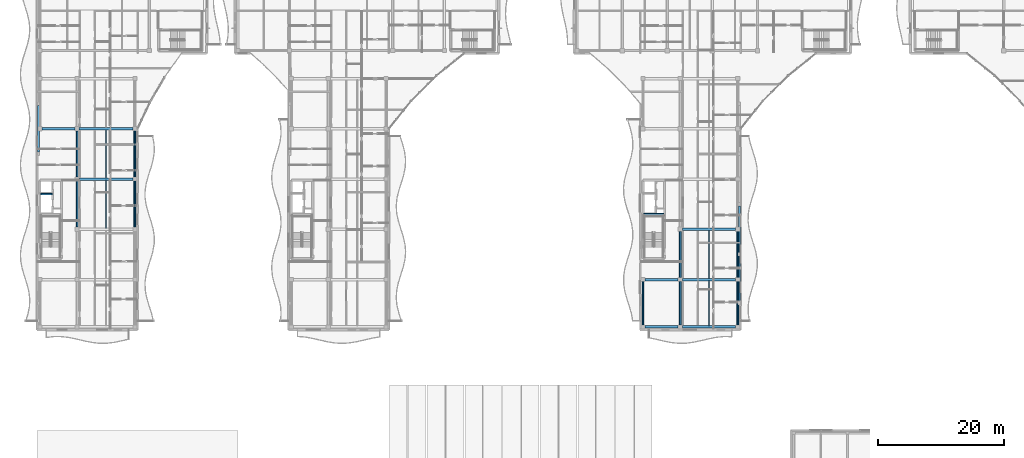
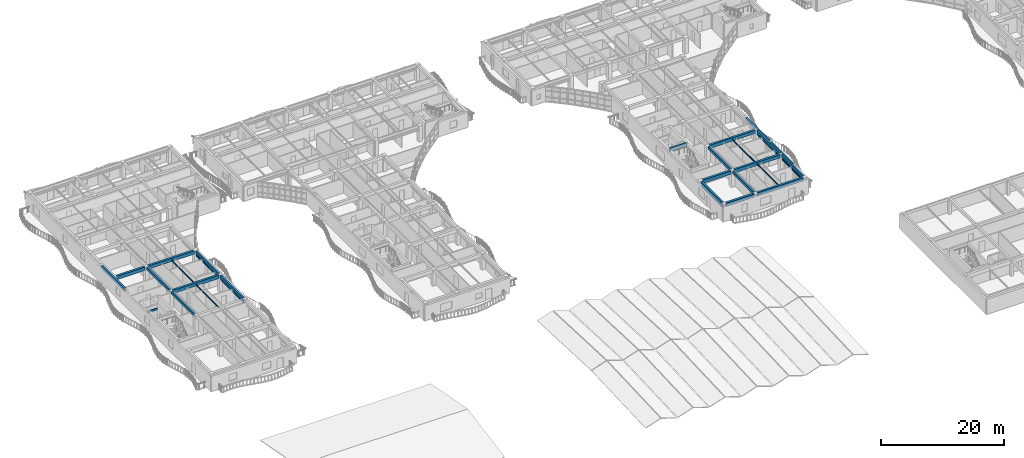
# One storey, part 6 of 89: 26 beams, 10 members.
"""IFC4 building model written with IfcOpenShell, lengths in metres."""

from ifc_helpers import new_model, si_unit, direction, frame, origin, origin_2d, place, context, subcontext, project, spatial, rectangle, hollow_rectangle, i_section, extrude, material, material_profile, profile_set, type_object, element, save


model = new_model("IFC4")

# Units and contexts
model_context = context("Model", 3, precision=1e-05, world=origin(), true_north=direction((0.0, 1.0)))
body_context = subcontext(model_context, "Body", "Model", "MODEL_VIEW")
ifc_project = project(units=[si_unit("LENGTHUNIT", "METRE"), si_unit("AREAUNIT", "SQUARE_METRE"), si_unit("VOLUMEUNIT", "CUBIC_METRE"), si_unit("PLANEANGLEUNIT", "RADIAN"), si_unit("MASSUNIT", "GRAM", prefix="KILO")], contexts=[model_context])

# Site, building, storey
site_placement = place(None, origin())
site = spatial("IfcSite", under=ifc_project, at=site_placement, CompositionType="ELEMENT")
building_placement = place(site_placement, origin())
building = spatial("IfcBuilding", under=site, at=building_placement, Name="Keldmere Railside Commons", CompositionType="ELEMENT")
storey_placement = place(building_placement, frame((0.0, 0.0, 7.360107421875)))
storey = spatial("IfcBuildingStorey", under=building, at=storey_placement, Name="L02", CompositionType="ELEMENT", Elevation=7.360107421875)

# Members
ifc_material_1 = material(Name="Steel F-36 (S355)", Category="steel")
ifc_material_profile_1 = material_profile(ifc_material_1, hollow_rectangle(XDim=0.14990234375, YDim=0.25, WallThickness=0.010009765625, at=origin_2d()), Name="RHS-250x150x10")
ifc_profile_set_1 = profile_set([ifc_material_profile_1], Name="Steel F-36 (S355)")
member_type_1 = type_object("IfcMemberType", Name="Balcony Continuous Planted Trough RHS250x150", PredefinedType="CHORD", material=ifc_profile_set_1)
for number, where, z_axis, x_axis, name in (
    (1, (23.550048828125, 72.324951171875, 2.414794921875), (0.0, 1.0, 0.0), (-1.0, 0.0, 0.0), "PLT-1 MEM-BPLT-0231"),
    (2, (23.550048828125, 80.324951171875, 2.414794921875), (0.0, 1.0, 0.0), (-1.0, 0.0, 0.0), "PLT-1 MEM-BPLT-0233"),
):
    element("IfcMember", number, at=place(storey_placement, frame(where, z_axis=z_axis, x_axis=x_axis)), inside=storey, type_object=member_type_1, Name=name, PredefinedType="CHORD", context=body_context, shape_type="SweptSolid", body=[
        extrude(hollow_rectangle(XDim=0.14990234375, YDim=0.25, WallThickness=0.010009765625, at=origin_2d()), origin(), (0.0, 0.0, 1.0), 7.35009765625),
    ])
for number, where, z_axis, x_axis, name in (
    (3, (104.449951171875, 56.800048828125, 2.414794921875), (0.0, 1.0, 0.0), (-1.0, 0.0, 0.0), "PLT-1 MEM-BPLT-0285"),
    (4, (119.550048828125, 56.800048828125, 2.414794921875), (0.0, 1.0, 0.0), (-1.0, 0.0, 0.0), "PLT-1 MEM-BPLT-0289"),
):
    element("IfcMember", number, at=place(storey_placement, frame(where, z_axis=z_axis, x_axis=x_axis)), inside=storey, type_object=member_type_1, Name=name, PredefinedType="CHORD", context=body_context, shape_type="SweptSolid", body=[
        extrude(hollow_rectangle(XDim=0.14990234375, YDim=0.25, WallThickness=0.010009765625, at=origin_2d()), origin(), (0.0, 0.0, 1.0), 6.849853515625),
    ])
member_1_placement = place(storey_placement, frame((119.550048828125, 64.35009765625, 2.414794921875), z_axis=(0.0, 1.0, 0.0), x_axis=(-1.0, 0.0, 0.0)))
element("IfcMember", 5, at=member_1_placement, inside=storey, type_object=member_type_1, Name="PLT-1 MEM-BPLT-0291", PredefinedType="CHORD", context=body_context, shape_type="SweptSolid", body=[
    extrude(hollow_rectangle(XDim=0.14990234375, YDim=0.25, WallThickness=0.010009765625, at=origin_2d()), origin(), (0.0, 0.0, 1.0), 7.2998046875),
])

# Beams
ifc_material_2 = material(Name="Concrete H-35 (C35/45)", Category="concrete")
ifc_material_profile_2 = material_profile(ifc_material_2, rectangle(XDim=0.300048828125, YDim=0.64990234375, at=origin_2d()), Name="RC-300x650")
ifc_profile_set_2 = profile_set([ifc_material_profile_2], Name="Concrete H-35 (C35/45)")
beam_type_1 = type_object("IfcBeamType", Name="Core Coupling RC Beam 300x650", PredefinedType="BEAM", material=ifc_profile_set_2)
beam_1_placement = place(storey_placement, frame((104.590087890625, 74.39990234375, 2.875), z_axis=(1.0, 0.0, 0.0), x_axis=(0.0, 1.0, 0.0)))
element("IfcBeam", 6, at=beam_1_placement, inside=storey, type_object=beam_type_1, Name="CB-1 BM-L02-2559", PredefinedType="BEAM", context=body_context, shape_type="SweptSolid", body=[
    extrude(rectangle(XDim=0.300048828125, YDim=0.64990234375, at=origin_2d()), origin(), (0.0, 0.0, 1.0), 3.18994140625),
])
ifc_material_3 = material(Name="Concrete H-30 (C30/37)", Category="concrete")
ifc_material_profile_3 = material_profile(ifc_material_3, rectangle(XDim=0.25, YDim=0.35009765625, at=origin_2d()), Name="RC-250x350")
ifc_profile_set_3 = profile_set([ifc_material_profile_3], Name="Concrete H-30 (C30/37)")
beam_type_2 = type_object("IfcBeamType", Name="Masonry Opening RC Lintel 250x350", PredefinedType="LINTEL", material=ifc_profile_set_3)
beam_2_placement = place(storey_placement, frame((8.590087890625, 77.60009765625, 2.4248046875), z_axis=(1.0, 0.0, 0.0), x_axis=(0.0, 1.0, 0.0)))
element("IfcBeam", 7, at=beam_2_placement, inside=storey, type_object=beam_type_2, Name="LNT-1 BM-L02-2544", PredefinedType="LINTEL", context=body_context, shape_type="SweptSolid", body=[
    extrude(rectangle(XDim=0.25, YDim=0.35009765625, at=origin_2d()), origin(), (0.0, 0.0, 1.0), 1.809814453125),
])
ifc_material_profile_4 = material_profile(ifc_material_1, i_section(OverallWidth=0.1201171875, OverallDepth=0.239990234375, WebThickness=0.006103515625, FlangeThickness=0.009765625, at=origin_2d()), Name="IPE-240")
ifc_profile_set_4 = profile_set([ifc_material_profile_4], Name="Steel F-36 (S355)")
beam_type_3 = type_object("IfcBeamType", Name="Nursery & Mezzanine Steel Joist IPE240", PredefinedType="JOIST", material=ifc_profile_set_4)
beam_3_placement = place(storey_placement, frame((114.949951171875, 56.64990234375, 2.809814453125), z_axis=(0.0, 1.0, 0.0), x_axis=(-1.0, 0.0, 0.0)))
element("IfcBeam", 8, at=beam_3_placement, inside=storey, type_object=beam_type_3, Name="JST-2 BM-L02-1282", PredefinedType="JOIST", context=body_context, shape_type="SweptSolid", body=[
    extrude(i_section(OverallWidth=0.1201171875, OverallDepth=0.239990234375, WebThickness=0.006103515625, FlangeThickness=0.009765625, at=origin_2d()), origin(), (0.0, 0.0, 1.0), 7.150146484375),
])
for number, where, z_axis, x_axis, name in (
    (9, (114.949951171875, 64.199951171875, 2.809814453125), (0.0, 1.0, 0.0), (-1.0, 0.0, 0.0), "JST-2 BM-L02-1286"),
    (10, (18.949951171875, 72.199951171875, 2.809814453125), (0.0, 1.0, 0.0), (-1.0, 0.0, 0.0), "JST-2 BM-L02-1287"),
    (11, (18.949951171875, 80.199951171875, 2.809814453125), (0.0, 1.0, 0.0), (-1.0, 0.0, 0.0), "JST-2 BM-L02-1290"),
):
    element("IfcBeam", number, at=place(storey_placement, frame(where, z_axis=z_axis, x_axis=x_axis)), inside=storey, type_object=beam_type_3, Name=name, PredefinedType="JOIST", context=body_context, shape_type="SweptSolid", body=[
        extrude(i_section(OverallWidth=0.1201171875, OverallDepth=0.239990234375, WebThickness=0.006103515625, FlangeThickness=0.009765625, at=origin_2d()), origin(), (0.0, 0.0, 1.0), 7.60009765625),
    ])
ifc_material_profile_5 = material_profile(ifc_material_3, rectangle(XDim=0.35009765625, YDim=0.60009765625, at=origin_2d()), Name="RC-350x600")
ifc_profile_set_5 = profile_set([ifc_material_profile_5], Name="Concrete H-30 (C30/37)")
beam_type_4 = type_object("IfcBeamType", Name="Residential Chord RC Beam 350x600", PredefinedType="BEAM", material=ifc_profile_set_5)
beam_4_placement = place(storey_placement, frame((8.219970703125, 84.27490234375, 2.89990234375), z_axis=(0.0, 1.0, 0.0), x_axis=(-1.0, 0.0, 0.0)))
element("IfcBeam", 12, at=beam_4_placement, inside=storey, type_object=beam_type_4, Name="BG-4 BM-L02-1156", PredefinedType="BEAM", context=body_context, shape_type="SweptSolid", body=[
    extrude(rectangle(XDim=0.35009765625, YDim=0.60009765625, at=origin_2d()), origin(), (0.0, 0.0, 1.0), 7.4501953125),
])
ifc_material_profile_6 = material_profile(ifc_material_3, rectangle(XDim=0.39990234375, YDim=0.64990234375, at=origin_2d()), Name="RC-400x650")
ifc_profile_set_6 = profile_set([ifc_material_profile_6], Name="Concrete H-30 (C30/37)")
beam_type_5 = type_object("IfcBeamType", Name="Residential Spine RC Girder 400x650", PredefinedType="BEAM", material=ifc_profile_set_6)
beam_5_placement = place(storey_placement, frame((104.800048828125, 56.449951171875, 2.875), z_axis=(1.0, 0.0, 0.0), x_axis=(0.0, 1.0, 0.0)))
element("IfcBeam", 13, at=beam_5_placement, inside=storey, type_object=beam_type_5, Name="BG-3 BM-L02-1072", PredefinedType="BEAM", context=body_context, shape_type="SweptSolid", body=[
    extrude(rectangle(XDim=0.39990234375, YDim=0.64990234375, at=origin_2d()), origin(), (0.0, 0.0, 1.0), 5.199951171875),
])
beam_6_placement = place(storey_placement, frame((110.699951171875, 56.449951171875, 2.875), z_axis=(1.0, 0.0, 0.0), x_axis=(0.0, 1.0, 0.0)))
element("IfcBeam", 14, at=beam_6_placement, inside=storey, type_object=beam_type_5, Name="BG-3 BM-L02-1073", PredefinedType="BEAM", context=body_context, shape_type="SweptSolid", body=[
    extrude(rectangle(XDim=0.39990234375, YDim=0.64990234375, at=origin_2d()), origin(), (0.0, 0.0, 1.0), 8.5),
])
beam_7_placement = place(storey_placement, frame((104.800048828125, 64.0, 2.875), z_axis=(1.0, 0.0, 0.0), x_axis=(0.0, 1.0, 0.0)))
element("IfcBeam", 15, at=beam_7_placement, inside=storey, type_object=beam_type_5, Name="BG-3 BM-L02-1080", PredefinedType="BEAM", context=body_context, shape_type="SweptSolid", body=[
    extrude(rectangle(XDim=0.39990234375, YDim=0.64990234375, at=origin_2d()), origin(), (0.0, 0.0, 1.0), 5.199951171875),
])
for number, where, z_axis, x_axis, name in (
    (16, (110.699951171875, 64.0, 2.875), (1.0, 0.0, 0.0), (0.0, 1.0, 0.0), "BG-3 BM-L02-1081"),
    (17, (110.699951171875, 72.0, 2.875), (1.0, 0.0, 0.0), (0.0, 1.0, 0.0), "BG-3 BM-L02-1086"),
):
    element("IfcBeam", number, at=place(storey_placement, frame(where, z_axis=z_axis, x_axis=x_axis)), inside=storey, type_object=beam_type_5, Name=name, PredefinedType="BEAM", context=body_context, shape_type="SweptSolid", body=[
        extrude(rectangle(XDim=0.39990234375, YDim=0.64990234375, at=origin_2d()), origin(), (0.0, 0.0, 1.0), 8.5),
    ])
beam_8_placement = place(storey_placement, frame((14.675048828125, 80.0, 2.875), z_axis=(1.0, 0.0, 0.0), x_axis=(0.0, 1.0, 0.0)))
element("IfcBeam", 18, at=beam_8_placement, inside=storey, type_object=beam_type_5, Name="BG-3 BM-L02-1088", PredefinedType="BEAM", context=body_context, shape_type="SweptSolid", body=[
    extrude(rectangle(XDim=0.39990234375, YDim=0.64990234375, at=origin_2d()), origin(), (0.0, 0.0, 1.0), 8.550048828125),
])
beam_9_placement = place(storey_placement, frame((8.77490234375, 88.0, 2.875), z_axis=(1.0, 0.0, 0.0), x_axis=(0.0, 1.0, 0.0)))
element("IfcBeam", 19, at=beam_9_placement, inside=storey, type_object=beam_type_5, Name="BG-3 BM-L02-1092", PredefinedType="BEAM", context=body_context, shape_type="SweptSolid", body=[
    extrude(rectangle(XDim=0.39990234375, YDim=0.64990234375, at=origin_2d()), origin(), (0.0, 0.0, 1.0), 5.25),
])
beam_10_placement = place(storey_placement, frame((14.675048828125, 88.0, 2.875), z_axis=(1.0, 0.0, 0.0), x_axis=(0.0, 1.0, 0.0)))
element("IfcBeam", 20, at=beam_10_placement, inside=storey, type_object=beam_type_5, Name="BG-3 BM-L02-1093", PredefinedType="BEAM", context=body_context, shape_type="SweptSolid", body=[
    extrude(rectangle(XDim=0.39990234375, YDim=0.64990234375, at=origin_2d()), origin(), (0.0, 0.0, 1.0), 8.550048828125),
])
ifc_material_profile_7 = material_profile(ifc_material_3, rectangle(XDim=0.300048828125, YDim=0.5, at=origin_2d()), Name="RC-300x500")
ifc_profile_set_7 = profile_set([ifc_material_profile_7], Name="Concrete H-30 (C30/37)")
beam_type_6 = type_object("IfcBeamType", Name="Secondary Frame RC Beam 300x500", PredefinedType="BEAM", material=ifc_profile_set_7)
for number, where, z_axis, x_axis, name in (
    (21, (14.35009765625, 72.324951171875, 2.949951171875), (0.0, 1.0, 0.0), (-1.0, 0.0, 0.0), "BG-5 BM-L02-1164"),
    (22, (14.35009765625, 80.324951171875, 2.949951171875), (0.0, 1.0, 0.0), (-1.0, 0.0, 0.0), "BG-5 BM-L02-1165"),
    (23, (23.550048828125, 72.324951171875, 2.949951171875), (0.0, 1.0, 0.0), (-1.0, 0.0, 0.0), "BG-5 BM-L02-1170"),
    (24, (23.550048828125, 80.324951171875, 2.949951171875), (0.0, 1.0, 0.0), (-1.0, 0.0, 0.0), "BG-5 BM-L02-1171"),
):
    element("IfcBeam", number, at=place(storey_placement, frame(where, z_axis=z_axis, x_axis=x_axis)), inside=storey, type_object=beam_type_6, Name=name, PredefinedType="BEAM", context=body_context, shape_type="SweptSolid", body=[
        extrude(rectangle(XDim=0.300048828125, YDim=0.5, at=origin_2d()), origin(), (0.0, 0.0, 1.0), 7.35009765625),
    ])
for number, where, z_axis, x_axis, name in (
    (25, (104.449951171875, 56.800048828125, 2.949951171875), (0.0, 1.0, 0.0), (-1.0, 0.0, 0.0), "BG-5 BM-L02-1204"),
    (26, (110.35009765625, 56.800048828125, 2.949951171875), (0.0, 1.0, 0.0), (-1.0, 0.0, 0.0), "BG-5 BM-L02-1208"),
):
    element("IfcBeam", number, at=place(storey_placement, frame(where, z_axis=z_axis, x_axis=x_axis)), inside=storey, type_object=beam_type_6, Name=name, PredefinedType="BEAM", context=body_context, shape_type="SweptSolid", body=[
        extrude(rectangle(XDim=0.300048828125, YDim=0.5, at=origin_2d()), origin(), (0.0, 0.0, 1.0), 6.849853515625),
    ])
beam_11_placement = place(storey_placement, frame((110.35009765625, 64.35009765625, 2.949951171875), z_axis=(0.0, 1.0, 0.0), x_axis=(-1.0, 0.0, 0.0)))
element("IfcBeam", 27, at=beam_11_placement, inside=storey, type_object=beam_type_6, Name="BG-5 BM-L02-1209", PredefinedType="BEAM", context=body_context, shape_type="SweptSolid", body=[
    extrude(rectangle(XDim=0.300048828125, YDim=0.5, at=origin_2d()), origin(), (0.0, 0.0, 1.0), 7.2998046875),
])
beam_12_placement = place(storey_placement, frame((119.550048828125, 56.800048828125, 2.949951171875), z_axis=(0.0, 1.0, 0.0), x_axis=(-1.0, 0.0, 0.0)))
element("IfcBeam", 28, at=beam_12_placement, inside=storey, type_object=beam_type_6, Name="BG-5 BM-L02-1215", PredefinedType="BEAM", context=body_context, shape_type="SweptSolid", body=[
    extrude(rectangle(XDim=0.300048828125, YDim=0.5, at=origin_2d()), origin(), (0.0, 0.0, 1.0), 6.849853515625),
])
beam_13_placement = place(storey_placement, frame((119.550048828125, 64.35009765625, 2.949951171875), z_axis=(0.0, 1.0, 0.0), x_axis=(-1.0, 0.0, 0.0)))
element("IfcBeam", 29, at=beam_13_placement, inside=storey, type_object=beam_type_6, Name="BG-5 BM-L02-1216", PredefinedType="BEAM", context=body_context, shape_type="SweptSolid", body=[
    extrude(rectangle(XDim=0.300048828125, YDim=0.5, at=origin_2d()), origin(), (0.0, 0.0, 1.0), 7.2998046875),
])
beam_14_placement = place(storey_placement, frame((119.780029296875, 60.47509765625, 2.949951171875), z_axis=(0.0, 1.0, 0.0), x_axis=(-1.0, 0.0, 0.0)))
element("IfcBeam", 30, at=beam_14_placement, inside=storey, type_object=beam_type_6, Name="BG-5 BM-L02-1220", PredefinedType="BEAM", context=body_context, shape_type="SweptSolid", body=[
    extrude(rectangle(XDim=0.300048828125, YDim=0.5, at=origin_2d()), origin(), (0.0, 0.0, 1.0), 7.25),
])
beam_15_placement = place(storey_placement, frame((119.780029296875, 68.27490234375, 2.949951171875), z_axis=(0.0, 1.0, 0.0), x_axis=(-1.0, 0.0, 0.0)))
element("IfcBeam", 31, at=beam_15_placement, inside=storey, type_object=beam_type_6, Name="BG-5 BM-L02-1221", PredefinedType="BEAM", context=body_context, shape_type="SweptSolid", body=[
    extrude(rectangle(XDim=0.300048828125, YDim=0.5, at=origin_2d()), origin(), (0.0, 0.0, 1.0), 7.4501953125),
])

# Members
ifc_material_profile_8 = material_profile(ifc_material_1, hollow_rectangle(XDim=0.10009765625, YDim=0.159912109375, WallThickness=0.008056640625, at=origin_2d()), Name="RHS-160x100x8")
ifc_profile_set_8 = profile_set([ifc_material_profile_8], Name="Steel F-36 (S355)")
member_type_2 = type_object("IfcMemberType", Name="Solar Brise-Soleil Louvre Fin RHS160x100", PredefinedType="STRUT", material=ifc_profile_set_8)
for number, where, z_axis, x_axis, name in (
    (32, (23.550048828125, 72.324951171875, 2.199951171875), (0.0, 1.0, 0.0), (-1.0, 0.0, 0.0), "BSF-1 MEM-BSF-0232"),
    (33, (23.550048828125, 80.324951171875, 2.199951171875), (0.0, 1.0, 0.0), (-1.0, 0.0, 0.0), "BSF-1 MEM-BSF-0234"),
):
    element("IfcMember", number, at=place(storey_placement, frame(where, z_axis=z_axis, x_axis=x_axis)), inside=storey, type_object=member_type_2, Name=name, PredefinedType="STRUT", context=body_context, shape_type="SweptSolid", body=[
        extrude(hollow_rectangle(XDim=0.10009765625, YDim=0.159912109375, WallThickness=0.008056640625, at=origin_2d()), origin(), (0.0, 0.0, 1.0), 7.35009765625),
    ])
for number, where, z_axis, x_axis, name in (
    (34, (104.449951171875, 56.800048828125, 2.199951171875), (0.0, 1.0, 0.0), (-1.0, 0.0, 0.0), "BSF-1 MEM-BSF-0286"),
    (35, (119.550048828125, 56.800048828125, 2.199951171875), (0.0, 1.0, 0.0), (-1.0, 0.0, 0.0), "BSF-1 MEM-BSF-0290"),
):
    element("IfcMember", number, at=place(storey_placement, frame(where, z_axis=z_axis, x_axis=x_axis)), inside=storey, type_object=member_type_2, Name=name, PredefinedType="STRUT", context=body_context, shape_type="SweptSolid", body=[
        extrude(hollow_rectangle(XDim=0.10009765625, YDim=0.159912109375, WallThickness=0.008056640625, at=origin_2d()), origin(), (0.0, 0.0, 1.0), 6.849853515625),
    ])
member_2_placement = place(storey_placement, frame((119.550048828125, 64.35009765625, 2.199951171875), z_axis=(0.0, 1.0, 0.0), x_axis=(-1.0, 0.0, 0.0)))
element("IfcMember", 36, at=member_2_placement, inside=storey, type_object=member_type_2, Name="BSF-1 MEM-BSF-0292", PredefinedType="STRUT", context=body_context, shape_type="SweptSolid", body=[
    extrude(hollow_rectangle(XDim=0.10009765625, YDim=0.159912109375, WallThickness=0.008056640625, at=origin_2d()), origin(), (0.0, 0.0, 1.0), 7.2998046875),
])

save(model, "model.ifc")
